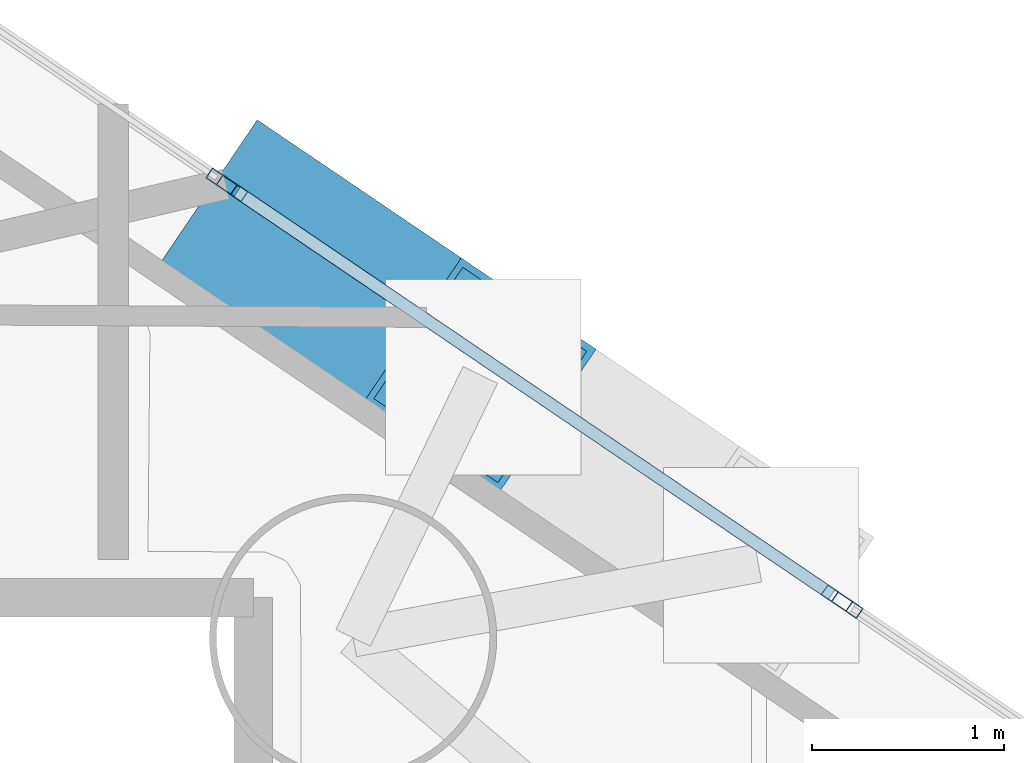
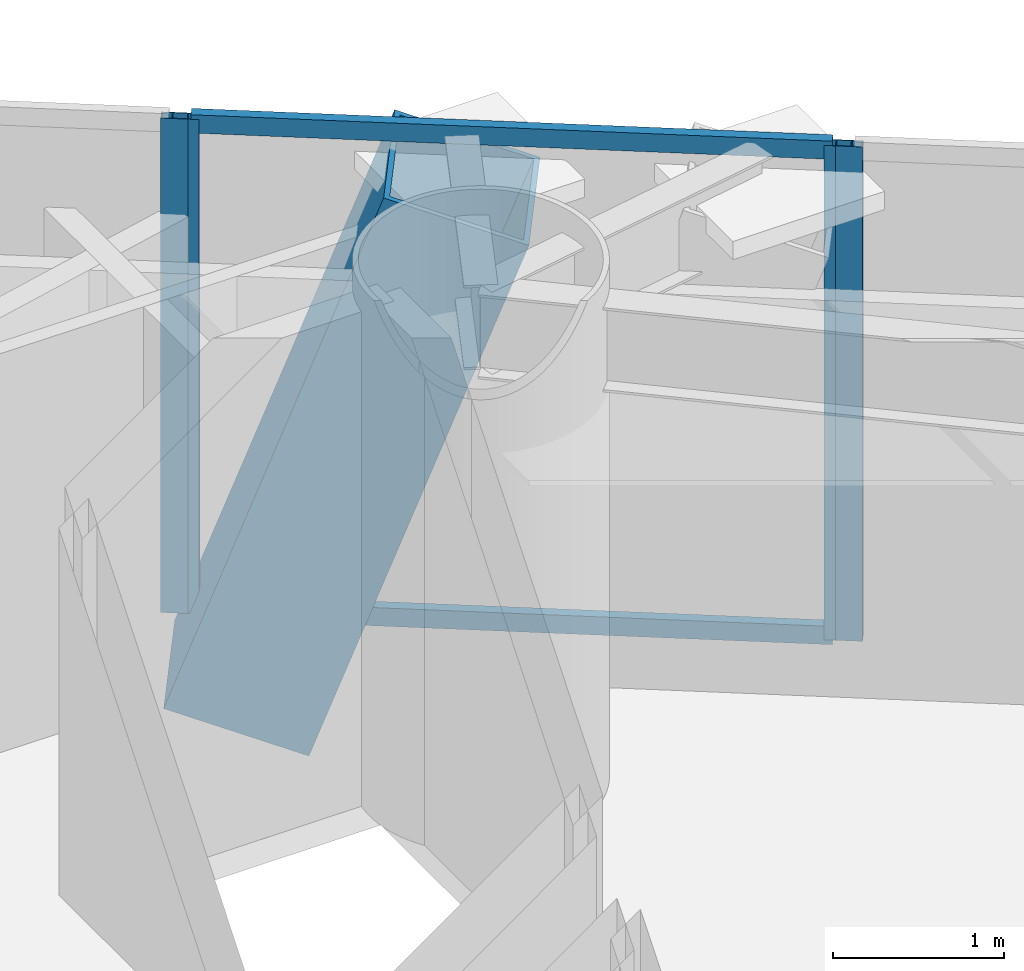
# One storey, part 11 of 21: 7 members, 3 elements without a shape of their own.
"""IFC4 building model written with IfcOpenShell, lengths in metres."""

from ifc_helpers import new_model, si_unit, direction, frame, origin, origin_2d, place, context, subcontext, project, spatial, hollow_rectangle, extrude, material, layer, layer_set, material_profile, profile_set, type_object, element, aggregate, save


model = new_model("IFC4")

# Units and contexts
model_context = context("Model", 3, precision=1e-05, world=origin(), true_north=direction((0.0, 1.0)))
body_context = subcontext(model_context, "Body", "Model", "MODEL_VIEW")
ifc_project = project(units=[si_unit("LENGTHUNIT", "METRE"), si_unit("AREAUNIT", "SQUARE_METRE"), si_unit("VOLUMEUNIT", "CUBIC_METRE"), si_unit("PLANEANGLEUNIT", "RADIAN"), si_unit("MASSUNIT", "GRAM", prefix="KILO")], contexts=[model_context])

# Site, building, storey
site_placement = place(None, origin())
site = spatial("IfcSite", under=ifc_project, at=site_placement, CompositionType="ELEMENT")
building_placement = place(site_placement, origin())
building = spatial("IfcBuilding", under=site, at=building_placement, Name="Qianvela Tower", CompositionType="ELEMENT")
storey_placement = place(building_placement, frame((0.0, 0.0, 105.199951171875)))
storey = spatial("IfcBuildingStorey", under=building, at=storey_placement, Name="L26", CompositionType="ELEMENT", Elevation=105.199951171875)

# Curtain wall, members
ifc_material_1 = material(Name="Anodised Architectural Aluminium and Insulated Spandrel Panel", Category="aluminium")
ifc_layer_1 = layer(ifc_material_1, 0.179931640625)
ifc_layer_set_1 = layer_set([ifc_layer_1], Name="Anodised Architectural Aluminium and Insulated Spandrel Panel")
curtain_wall_type_1 = type_object("IfcCurtainWallType", Name="CW-BRACEBAY", PredefinedType="USERDEFINED", material=ifc_layer_set_1)
curtain_wall_1_placement = place(storey_placement, origin())
curtain_wall_1 = element("IfcCurtainWall", 1, at=curtain_wall_1_placement, inside=storey, type_object=curtain_wall_type_1, Name="L26 CW-BRACEBAY Curtain Wall 02B", ObjectType="CURTAIN_WALL_SYSTEM", PredefinedType="USERDEFINED")
ifc_material_2 = material(Name="Anodised Architectural Aluminium 6063-T6", Category="aluminium")
ifc_material_profile_1 = material_profile(ifc_material_2, hollow_rectangle(XDim=0.06494140625, YDim=0.159912109375, WallThickness=0.0048828125, at=origin_2d()), Name="ALU-MULL-65x160")
ifc_profile_set_1 = profile_set([ifc_material_profile_1], Name="Anodised Architectural Aluminium 6063-T6")
member_type_1 = type_object("IfcMemberType", Name="CW-BRACEBAY-MULL", PredefinedType="MULLION", material=ifc_profile_set_1)
member_1_placement = place(storey_placement, frame((46.597412109375, 35.27783203125, 0.0), z_axis=(0.0, 0.0, 1.0), x_axis=(-0.560823070345, -0.827935676106, 0.0)))
member_1 = element("IfcMember", 2, at=member_1_placement, type_object=member_type_1, Name="CW-9 mullion 1", PredefinedType="MULLION", context=body_context, shape_type="SweptSolid", body=[
    extrude(hollow_rectangle(XDim=0.06494140625, YDim=0.159912109375, WallThickness=0.0048828125, at=origin_2d()), origin(), (0.0, 0.0, 1.0), 3.52001953125),
])
member_2_placement = place(storey_placement, frame((43.438720703125, 37.417236328125, 0.0), z_axis=(0.0, 0.0, 1.0), x_axis=(-0.560823070345, -0.827935676106, 0.0)))
member_2 = element("IfcMember", 3, at=member_2_placement, type_object=member_type_1, Name="CW-9 mullion 2", PredefinedType="MULLION", context=body_context, shape_type="SweptSolid", body=[
    extrude(hollow_rectangle(XDim=0.06494140625, YDim=0.159912109375, WallThickness=0.0048828125, at=origin_2d()), origin(), (0.0, 0.0, 1.0), 3.52001953125),
])
ifc_material_3 = material(Name="Anodised Architectural Aluminium 6063-T6", Category="aluminium")
ifc_material_profile_2 = material_profile(ifc_material_3, hollow_rectangle(XDim=0.06494140625, YDim=0.1298828125, WallThickness=0.00439453125, at=origin_2d()), Name="ALU-TRAN-65x130")
ifc_profile_set_2 = profile_set([ifc_material_profile_2], Name="Anodised Architectural Aluminium 6063-T6")
member_type_2 = type_object("IfcMemberType", Name="CW-BRACEBAY-TRAN", PredefinedType="USERDEFINED", material=ifc_profile_set_2)
member_3_placement = place(storey_placement, frame((46.570556640625, 35.2958984375, 0.032470703125), z_axis=(-0.827941119032, 0.560815034941, 0.0), x_axis=(-0.560815034941, -0.827941119032, 0.0)))
member_3 = element("IfcMember", 4, at=member_3_placement, type_object=member_type_2, Name="CW-9 transom 1.1", ObjectType="TRANSOM", PredefinedType="USERDEFINED", context=body_context, shape_type="SweptSolid", body=[
    extrude(hollow_rectangle(XDim=0.06494140625, YDim=0.1298828125, WallThickness=0.00439453125, at=origin_2d()), origin(), (0.0, 0.0, 1.0), 3.75),
])
member_4_placement = place(storey_placement, frame((46.570556640625, 35.2958984375, 3.487548828125), z_axis=(-0.827941119032, 0.560815034941, 0.0), x_axis=(-0.560815034941, -0.827941119032, 0.0)))
member_4 = element("IfcMember", 5, at=member_4_placement, type_object=member_type_2, Name="CW-9 transom 1.2", ObjectType="TRANSOM", PredefinedType="USERDEFINED", context=body_context, shape_type="SweptSolid", body=[
    extrude(hollow_rectangle(XDim=0.06494140625, YDim=0.1298828125, WallThickness=0.00439453125, at=origin_2d()), origin(), (0.0, 0.0, 1.0), 3.75),
])
aggregate(curtain_wall_1, [member_1, member_2, member_3, member_4])

# Curtain wall, member
ifc_material_4 = material(Name="Anodised Architectural Aluminium and Low-E Glass", Category="aluminium")
ifc_layer_2 = layer(ifc_material_4, 0.169921875)
ifc_layer_set_2 = layer_set([ifc_layer_2], Name="Anodised Architectural Aluminium and Low-E Glass")
curtain_wall_type_2 = type_object("IfcCurtainWallType", Name="CW-COLIV-Z34", PredefinedType="USERDEFINED", material=ifc_layer_set_2)
curtain_wall_2_placement = place(storey_placement, origin())
curtain_wall_2 = element("IfcCurtainWall", 6, at=curtain_wall_2_placement, inside=storey, type_object=curtain_wall_type_2, Name="L26 CW-COLIV-Z34 Curtain Wall 02A", ObjectType="CURTAIN_WALL_SYSTEM", PredefinedType="USERDEFINED")
ifc_material_5 = material(Name="Anodised Architectural Aluminium 6063-T6", Category="aluminium")
ifc_material_profile_3 = material_profile(ifc_material_5, hollow_rectangle(XDim=0.06494140625, YDim=0.159912109375, WallThickness=0.0048828125, at=origin_2d()), Name="ALU-MULL-65x160")
ifc_profile_set_3 = profile_set([ifc_material_profile_3], Name="Anodised Architectural Aluminium 6063-T6")
member_type_3 = type_object("IfcMemberType", Name="CW-COLIV-Z34-MULL", PredefinedType="MULLION", material=ifc_profile_set_3)
member_5_placement = place(storey_placement, frame((46.651123046875, 35.2412109375, 0.0), z_axis=(0.0, 0.0, 1.0), x_axis=(-0.560826733524, -0.827933194748, 0.0)))
member_5 = element("IfcMember", 7, at=member_5_placement, type_object=member_type_3, Name="CW-4 mullion 3", PredefinedType="MULLION", context=body_context, shape_type="SweptSolid", body=[
    extrude(hollow_rectangle(XDim=0.06494140625, YDim=0.159912109375, WallThickness=0.0048828125, at=origin_2d()), origin(), (0.0, 0.0, 1.0), 3.52001953125),
])
aggregate(curtain_wall_2, [member_5])

curtain_wall_3_placement = place(storey_placement, origin())
curtain_wall_3 = element("IfcCurtainWall", 8, at=curtain_wall_3_placement, inside=storey, type_object=curtain_wall_type_2, Name="L26 CW-COLIV-Z34 Curtain Wall 02C", ObjectType="CURTAIN_WALL_SYSTEM", PredefinedType="USERDEFINED")
member_6_placement = place(storey_placement, frame((43.385009765625, 37.45361328125, 0.0), z_axis=(0.0, 0.0, 1.0), x_axis=(-0.560826570295, -0.827933305316, 0.0)))
member_6 = element("IfcMember", 9, at=member_6_placement, type_object=member_type_3, Name="CW-4 mullion 1", PredefinedType="MULLION", context=body_context, shape_type="SweptSolid", body=[
    extrude(hollow_rectangle(XDim=0.06494140625, YDim=0.159912109375, WallThickness=0.0048828125, at=origin_2d()), origin(), (0.0, 0.0, 1.0), 3.52001953125),
])
aggregate(curtain_wall_3, [member_6])

# Member
ifc_material_6 = material(Name="Steel Q420GJC", Category="steel")
ifc_material_profile_4 = material_profile(ifc_material_6, hollow_rectangle(XDim=0.89990234375, YDim=0.89990234375, WallThickness=0.035888671875, at=origin_2d()), Name="MBOX-900x900x36")
ifc_profile_set_4 = profile_set([ifc_material_profile_4], Name="Steel Q420GJC")
member_type_4 = type_object("IfcMemberType", Name="MBR-MBRACE-900", PredefinedType="BRACE", material=ifc_profile_set_4)
member_7_placement = place(storey_placement, frame((43.669921875, 37.1640625, -0.48193359375), z_axis=(0.271922826151, -0.1841695969, 0.944531384442), x_axis=(0.560772613529, 0.827969852057, 0.0)))
element("IfcMember", 10, at=member_7_placement, inside=storey, type_object=member_type_4, Name="L26 Tier 4 Exterior Mega-Brace F1B", PredefinedType="BRACE", context=body_context, shape_type="SweptSolid", body=[
    extrude(hollow_rectangle(XDim=0.89990234375, YDim=0.89990234375, WallThickness=0.035888671875, at=origin_2d()), origin(), (0.0, 0.0, 1.0), 3.917236328125),
])

save(model, "model.ifc")
